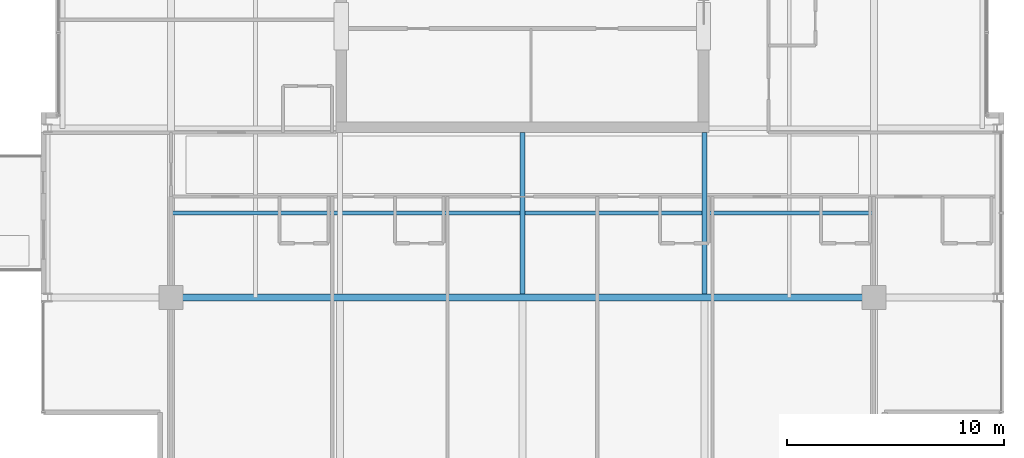
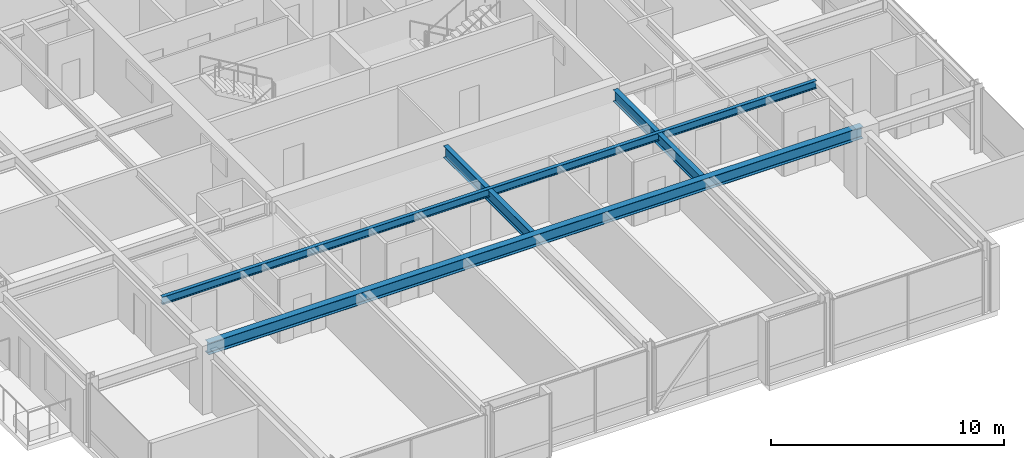
# One storey, part 7 of 32: 4 beams.
"""IFC4 building model written with IfcOpenShell, lengths in metres."""

from ifc_helpers import new_model, si_unit, direction, frame, origin, origin_2d, place, context, subcontext, project, spatial, i_section, extrude, material, material_profile, profile_set, type_object, element, save


model = new_model("IFC4")

# Units and contexts
model_context = context("Model", 3, precision=1e-05, world=origin(), true_north=direction((0.0, 1.0)))
body_context = subcontext(model_context, "Body", "Model", "MODEL_VIEW")
ifc_project = project(units=[si_unit("LENGTHUNIT", "METRE"), si_unit("AREAUNIT", "SQUARE_METRE"), si_unit("VOLUMEUNIT", "CUBIC_METRE"), si_unit("PLANEANGLEUNIT", "RADIAN"), si_unit("MASSUNIT", "GRAM", prefix="KILO")], contexts=[model_context])

# Site, building, storey
site_placement = place(None, origin())
site = spatial("IfcSite", under=ifc_project, at=site_placement, CompositionType="ELEMENT")
building_placement = place(site_placement, origin())
building = spatial("IfcBuilding", under=site, at=building_placement, Name="Drelvath Grand Hotel", CompositionType="ELEMENT")
storey_placement = place(building_placement, frame((0.0, 0.0, 226.699951171875)))
storey = spatial("IfcBuildingStorey", under=building, at=storey_placement, Name="L59", CompositionType="ELEMENT", Elevation=226.699951171875)

# Beams
ifc_material = material(Name="Steel ASTM A992 Gr 50", Category="steel")
ifc_material_profile_1 = material_profile(ifc_material, i_section(OverallWidth=0.177734375, OverallDepth=0.40673828125, WebThickness=0.0078125, FlangeThickness=0.0126953125, FilletRadius=0.014892578125, at=origin_2d()), Name="W16X40")
ifc_profile_set_1 = profile_set([ifc_material_profile_1], Name="Steel ASTM A992 Gr 50")
beam_type_1 = type_object("IfcBeamType", Name="Composite Floor Joist W16X40", PredefinedType="JOIST", material=ifc_profile_set_1)
beam_1_placement = place(storey_placement, frame((-16.199951171875, 14.699951171875, 3.13671875), z_axis=(1.0, 0.0, 0.0), x_axis=(0.0, 1.0, 0.0)))
element("IfcBeam", 1, at=beam_1_placement, inside=storey, type_object=beam_type_1, Name="L59 Floor Joist J1", PredefinedType="JOIST", context=body_context, shape_type="SweptSolid", body=[
    extrude(i_section(OverallWidth=0.177734375, OverallDepth=0.40673828125, WebThickness=0.0078125, FlangeThickness=0.0126953125, FilletRadius=0.014892578125, at=origin_2d()), origin(), (0.0, 0.0, 1.0), 32.39990234375),
])
ifc_material_profile_2 = material_profile(ifc_material, i_section(OverallWidth=0.323974609375, OverallDepth=0.611083984375, WebThickness=0.0126953125, FlangeThickness=0.01904296875, FilletRadius=0.02197265625, at=origin_2d()), Name="W24X104")
ifc_profile_set_2 = profile_set([ifc_material_profile_2], Name="Steel ASTM A992 Gr 50")
beam_type_2 = type_object("IfcBeamType", Name="Primary Floor Girder W24X104", PredefinedType="BEAM", material=ifc_profile_set_2)
beam_2_placement = place(storey_placement, frame((-16.199951171875, 10.800048828125, 3.034423828125), z_axis=(1.0, 0.0, 0.0), x_axis=(0.0, 1.0, 0.0)))
element("IfcBeam", 2, at=beam_2_placement, inside=storey, type_object=beam_type_2, Name="L59 Mega Ring Girder South", PredefinedType="BEAM", context=body_context, shape_type="SweptSolid", body=[
    extrude(i_section(OverallWidth=0.323974609375, OverallDepth=0.611083984375, WebThickness=0.0126953125, FlangeThickness=0.01904296875, FilletRadius=0.02197265625, at=origin_2d()), origin(), (0.0, 0.0, 1.0), 32.39990234375),
])
ifc_material_profile_3 = material_profile(ifc_material, i_section(OverallWidth=0.228271484375, OverallDepth=0.607666015625, WebThickness=0.01123046875, FlangeThickness=0.017333984375, FilletRadius=0.02001953125, at=origin_2d()), Name="W24X76")
ifc_profile_set_3 = profile_set([ifc_material_profile_3], Name="Steel ASTM A992 Gr 50")
beam_type_3 = type_object("IfcBeamType", Name="Primary Floor Girder W24X76", PredefinedType="BEAM", material=ifc_profile_set_3)
for number, where, z_axis, x_axis, name in (
    (3, (0.0, 10.9619140625, 3.0361328125), (0.0, 1.0, 0.0), (-1.0, 0.0, 0.0), "L59 South Core Tie 5"),
    (4, (8.39990234375, 10.9619140625, 3.0361328125), (0.0, 1.0, 0.0), (-1.0, 0.0, 0.0), "L59 South Core Tie 6"),
):
    element("IfcBeam", number, at=place(storey_placement, frame(where, z_axis=z_axis, x_axis=x_axis)), inside=storey, type_object=beam_type_3, Name=name, PredefinedType="BEAM", context=body_context, shape_type="SweptSolid", body=[
        extrude(i_section(OverallWidth=0.228271484375, OverallDepth=0.607666015625, WebThickness=0.01123046875, FlangeThickness=0.017333984375, FilletRadius=0.02001953125, at=origin_2d()), origin(), (0.0, 0.0, 1.0), 7.43798828125),
    ])

save(model, "model.ifc")
